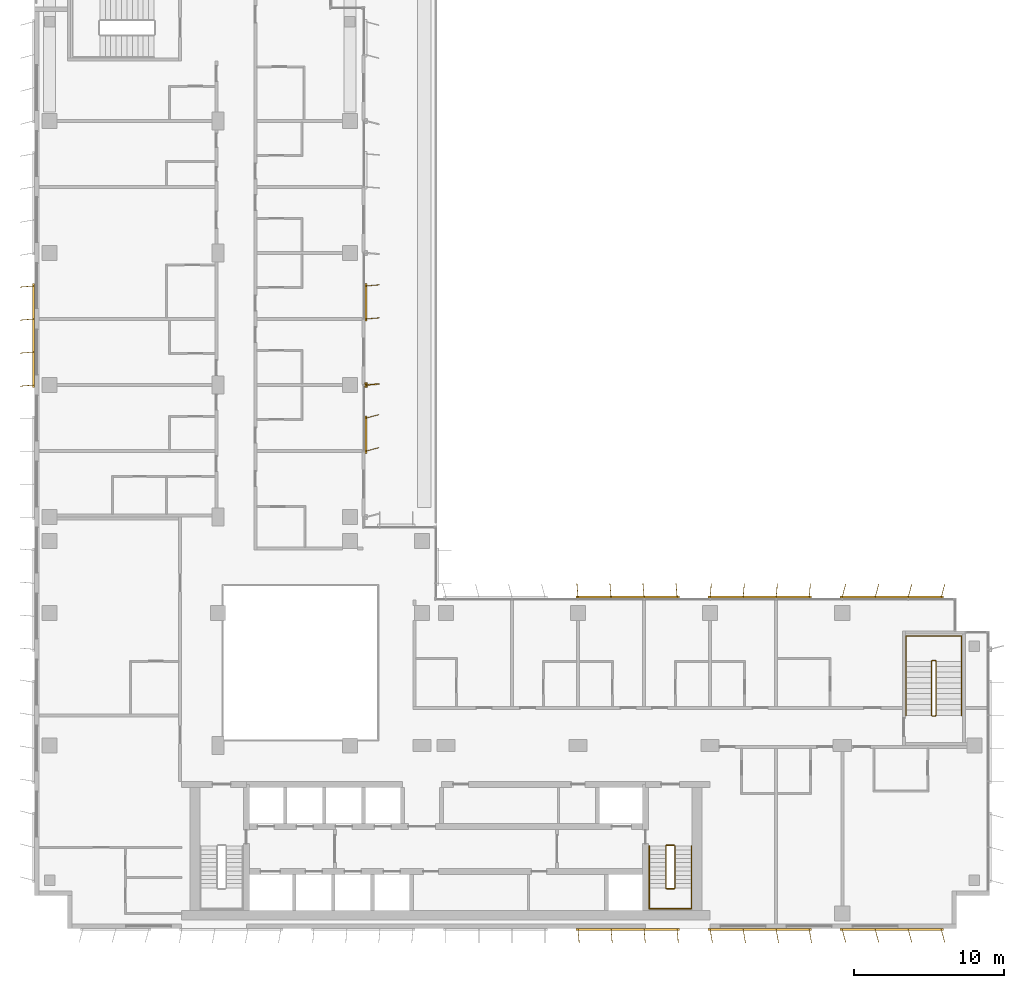
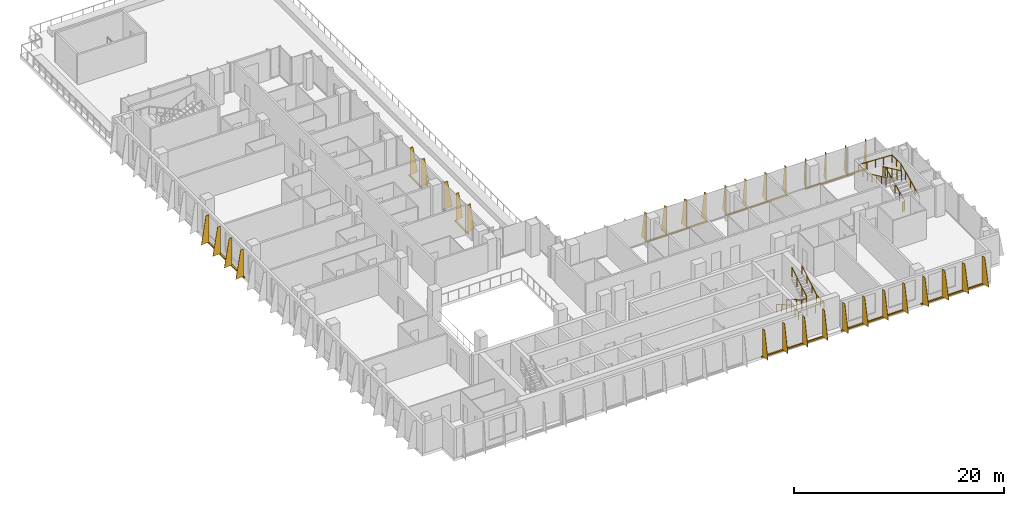
# One storey, part 20 of 22: 10 shading devices, 4 railings.
"""IFC4 building model written with IfcOpenShell, lengths in metres."""

from ifc_helpers import new_model, si_unit, direction, frame, origin, origin_2d, place, context, subcontext, project, spatial, polyline, rectangle, circle, outline, extrude, source, transform, mapped, material, layer, layer_set, type_object, element, save


model = new_model("IFC4")

# Units and contexts
model_context = context("Model", 3, precision=1e-05, world=origin(), true_north=direction((0.0, 1.0)))
body_context = subcontext(model_context, "Body", "Model", "MODEL_VIEW")
ifc_project = project(units=[si_unit("LENGTHUNIT", "METRE"), si_unit("AREAUNIT", "SQUARE_METRE"), si_unit("VOLUMEUNIT", "CUBIC_METRE"), si_unit("PLANEANGLEUNIT", "RADIAN"), si_unit("MASSUNIT", "GRAM", prefix="KILO")], contexts=[model_context])

# Site, building, storey
site_placement = place(None, origin())
site = spatial("IfcSite", under=ifc_project, at=site_placement, CompositionType="ELEMENT")
building_placement = place(site_placement, origin())
building = spatial("IfcBuilding", under=site, at=building_placement, Name="Kemantara Hotel Tower", CompositionType="ELEMENT")
storey_placement = place(building_placement, frame((0.0, 0.0, 153.10009765625)))
storey = spatial("IfcBuildingStorey", under=building, at=storey_placement, Name="L37", CompositionType="ELEMENT", Elevation=153.10009765625)

# Railings
ifc_material_1 = material(Name="Stainless steel balustrade", Category="steel")
railing_type_1 = type_object("IfcRailingType", Name="Stair guard 1100 mm", PredefinedType="GUARDRAIL", material=ifc_material_1)
railing_1_placement = place(storey_placement, frame((42.64990234375, 5.5, 3.699951171875)))
element("IfcRailing", 1, at=railing_1_placement, inside=storey, type_object=railing_type_1, Name="L37 ST2 stair guard 1", PredefinedType="GUARDRAIL", context=body_context, shape_type="SweptSolid", body=[
    extrude(circle(Radius=0.02392578125, at=origin_2d()), frame((0.0, 0.0, 1.076171875), z_axis=(0.0, -0.857242210791, -0.514913383045), x_axis=(1.0, 0.0, 0.0)), (0.0, 0.0, 1.0), 3.266357421875),
    extrude(circle(Radius=0.02392578125, at=origin_2d()), frame((0.0, -2.800048828125, -0.60595703125), z_axis=(-0.273006030465, -0.27434429532, -0.922064485248), x_axis=(0.708833529934, -0.705375805398, 0.0)), (0.0, 0.0, 1.0), 0.182373046875),
    extrude(circle(Radius=0.02392578125, at=origin_2d()), frame((-0.0498046875, -2.85009765625, -0.77392578125), z_axis=(-1.0, 0.0, 0.0), x_axis=(0.0, -1.0, 0.0)), (0.0, 0.0, 1.0), 0.5),
    extrude(circle(Radius=0.02392578125, at=origin_2d()), frame((-0.5498046875, -2.85009765625, -0.77392578125), z_axis=(-0.707106781187, 0.707106781187, 0.0), x_axis=(-0.707106781187, -0.707106781187, 0.0)), (0.0, 0.0, 1.0), 0.07080078125),
    extrude(circle(Radius=0.02392578125, at=origin_2d()), frame((-0.599853515625, -2.800048828125, -0.77392578125), z_axis=(0.0, 0.857242210791, -0.514913383045), x_axis=(-1.0, 0.0, 0.0)), (0.0, 0.0, 1.0), 3.266357421875),
    extrude(circle(Radius=0.02392578125, at=origin_2d()), frame((-0.599853515625, 0.0, -2.4560546875), z_axis=(0.274582412415, 0.274582412415, -0.921525364591), x_axis=(-0.707106781187, 0.707106781187, 0.0)), (0.0, 0.0, 1.0), 0.182373046875),
    extrude(circle(Radius=0.02392578125, at=origin_2d()), frame((-0.5498046875, 0.050048828125, -2.6240234375), z_axis=(1.0, 0.0, 0.0), x_axis=(0.0, 1.0, 0.0)), (0.0, 0.0, 1.0), 0.5),
    extrude(circle(Radius=0.02099609375, at=origin_2d()), origin(), (0.0, 0.0, 1.0), 1.052001953125),
    extrude(circle(Radius=0.02099609375, at=origin_2d()), frame((0.0, -0.933349609375, -0.560546875)), (0.0, 0.0, 1.0), 1.052001953125),
    extrude(circle(Radius=0.02099609375, at=origin_2d()), frame((0.0, -1.86669921875, -1.121337890625)), (0.0, 0.0, 1.0), 1.052001953125),
    extrude(circle(Radius=0.02099609375, at=origin_2d()), frame((0.0, -2.800048828125, -1.681884765625)), (0.0, 0.0, 1.0), 1.052001953125),
    extrude(circle(Radius=0.02099609375, at=origin_2d()), frame((-0.0498046875, -2.85009765625, -1.85009765625)), (0.0, 0.0, 1.0), 1.052001953125),
    extrude(circle(Radius=0.02099609375, at=origin_2d()), frame((-0.5498046875, -2.85009765625, -1.85009765625)), (0.0, 0.0, 1.0), 1.052001953125),
    extrude(circle(Radius=0.02099609375, at=origin_2d()), frame((-0.599853515625, -2.800048828125, -1.85009765625)), (0.0, 0.0, 1.0), 1.052001953125),
    extrude(circle(Radius=0.02099609375, at=origin_2d()), frame((-0.599853515625, -1.86669921875, -2.41064453125)), (0.0, 0.0, 1.0), 1.052001953125),
    extrude(circle(Radius=0.02099609375, at=origin_2d()), frame((-0.599853515625, -0.933349609375, -2.971435546875)), (0.0, 0.0, 1.0), 1.052001953125),
    extrude(circle(Radius=0.02099609375, at=origin_2d()), frame((-0.599853515625, 0.0, -3.531982421875)), (0.0, 0.0, 1.0), 1.052001953125),
    extrude(circle(Radius=0.02099609375, at=origin_2d()), frame((-0.5498046875, 0.050048828125, -3.699951171875)), (0.0, 0.0, 1.0), 1.052001953125),
    extrude(circle(Radius=0.02099609375, at=origin_2d()), frame((-0.0498046875, 0.050048828125, -3.699951171875)), (0.0, 0.0, 1.0), 1.052001953125),
])
railing_2_placement = place(storey_placement, frame((59.75, 14.199951171875, 3.699951171875)))
element("IfcRailing", 2, at=railing_2_placement, inside=storey, type_object=railing_type_1, Name="L37 ST3 stair guard 1", PredefinedType="GUARDRAIL", context=body_context, shape_type="SweptSolid", body=[
    extrude(circle(Radius=0.02392578125, at=origin_2d()), frame((0.0, 0.0, 1.076171875), z_axis=(0.0, 0.906005689286, -0.423265508849), x_axis=(-1.0, 0.0, 0.0)), (0.0, 0.0, 1.0), 3.9736328125),
    extrude(circle(Radius=0.02392578125, at=origin_2d()), frame((0.0, 3.60009765625, -0.60595703125), z_axis=(0.274243871929, 0.274243871929, -0.92172696468), x_axis=(-0.707106781187, 0.707106781187, 0.0)), (0.0, 0.0, 1.0), 0.1826171875),
    extrude(circle(Radius=0.02392578125, at=origin_2d()), frame((0.050048828125, 3.650146484375, -0.77392578125), z_axis=(1.0, 0.0, 0.0), x_axis=(0.0, 1.0, 0.0)), (0.0, 0.0, 1.0), 0.199951171875),
    extrude(circle(Radius=0.02392578125, at=origin_2d()), frame((0.25, 3.650146484375, -0.77392578125), z_axis=(0.707106781187, -0.707106781187, 0.0), x_axis=(0.707106781187, 0.707106781187, 0.0)), (0.0, 0.0, 1.0), 0.07080078125),
    extrude(circle(Radius=0.02392578125, at=origin_2d()), frame((0.300048828125, 3.60009765625, -0.77392578125), z_axis=(0.0, -0.906005689286, -0.423265508849), x_axis=(1.0, 0.0, 0.0)), (0.0, 0.0, 1.0), 3.9736328125),
    extrude(circle(Radius=0.02392578125, at=origin_2d()), frame((0.300048828125, 0.0, -2.4560546875), z_axis=(-0.274582412415, -0.274582412415, -0.921525364591), x_axis=(0.707106781187, -0.707106781187, 0.0)), (0.0, 0.0, 1.0), 0.182373046875),
    extrude(circle(Radius=0.02392578125, at=origin_2d()), frame((0.25, -0.050048828125, -2.6240234375), z_axis=(-1.0, 0.0, 0.0), x_axis=(0.0, -1.0, 0.0)), (0.0, 0.0, 1.0), 0.199951171875),
    extrude(circle(Radius=0.02099609375, at=origin_2d()), origin(), (0.0, 0.0, 1.0), 1.052001953125),
    extrude(circle(Radius=0.02099609375, at=origin_2d()), frame((0.0, 0.89990234375, -0.42041015625)), (0.0, 0.0, 1.0), 1.052001953125),
    extrude(circle(Radius=0.02099609375, at=origin_2d()), frame((0.0, 1.800048828125, -0.8408203125)), (0.0, 0.0, 1.0), 1.052001953125),
    extrude(circle(Radius=0.02099609375, at=origin_2d()), frame((0.0, 2.7001953125, -1.261474609375)), (0.0, 0.0, 1.0), 1.052001953125),
    extrude(circle(Radius=0.02099609375, at=origin_2d()), frame((0.0, 3.60009765625, -1.681884765625)), (0.0, 0.0, 1.0), 1.052001953125),
    extrude(circle(Radius=0.02099609375, at=origin_2d()), frame((0.050048828125, 3.650146484375, -1.85009765625)), (0.0, 0.0, 1.0), 1.052001953125),
    extrude(circle(Radius=0.02099609375, at=origin_2d()), frame((0.25, 3.650146484375, -1.85009765625)), (0.0, 0.0, 1.0), 1.052001953125),
    extrude(circle(Radius=0.02099609375, at=origin_2d()), frame((0.300048828125, 3.60009765625, -1.85009765625)), (0.0, 0.0, 1.0), 1.052001953125),
    extrude(circle(Radius=0.02099609375, at=origin_2d()), frame((0.300048828125, 2.7001953125, -2.2705078125)), (0.0, 0.0, 1.0), 1.052001953125),
    extrude(circle(Radius=0.02099609375, at=origin_2d()), frame((0.300048828125, 1.800048828125, -2.69091796875)), (0.0, 0.0, 1.0), 1.052001953125),
    extrude(circle(Radius=0.02099609375, at=origin_2d()), frame((0.300048828125, 0.89990234375, -3.111572265625)), (0.0, 0.0, 1.0), 1.052001953125),
    extrude(circle(Radius=0.02099609375, at=origin_2d()), frame((0.300048828125, 0.0, -3.531982421875)), (0.0, 0.0, 1.0), 1.052001953125),
    extrude(circle(Radius=0.02099609375, at=origin_2d()), frame((0.25, -0.050048828125, -3.699951171875)), (0.0, 0.0, 1.0), 1.052001953125),
    extrude(circle(Radius=0.02099609375, at=origin_2d()), frame((0.050048828125, -0.050048828125, -3.699951171875)), (0.0, 0.0, 1.0), 1.052001953125),
])
railing_type_2 = type_object("IfcRailingType", Name="Stair handrail 900 mm", PredefinedType="HANDRAIL", material=ifc_material_1)
railing_3_placement = place(storey_placement, frame((40.949951171875, 5.5, 0.16796875)))
element("IfcRailing", 3, at=railing_3_placement, inside=storey, type_object=railing_type_2, Name="L37 ST2 stair handrail 1", PredefinedType="HANDRAIL", context=body_context, shape_type="SweptSolid", body=[
    extrude(circle(Radius=0.02392578125, at=origin_2d()), frame((0.0, 0.0, 0.8759765625), z_axis=(0.0, -0.857242210791, 0.514913383045), x_axis=(1.0, 0.0, 0.0)), (0.0, 0.0, 1.0), 3.266357421875),
    extrude(circle(Radius=0.02392578125, at=origin_2d()), frame((0.0, -2.800048828125, 2.5576171875), z_axis=(0.0, -1.0, 0.0), x_axis=(1.0, 0.0, 0.0)), (0.0, 0.0, 1.0), 1.3798828125),
    extrude(circle(Radius=0.02392578125, at=origin_2d()), frame((0.0, -4.179931640625, 2.5576171875), z_axis=(0.998200367801, 0.0, 0.059966871865), x_axis=(0.0, 1.0, 0.0)), (0.0, 0.0, 1.0), 2.80517578125),
    extrude(circle(Radius=0.02392578125, at=origin_2d()), frame((2.800048828125, -4.179931640625, 2.72607421875), z_axis=(0.0, 1.0, 0.0), x_axis=(-1.0, 0.0, 0.0)), (0.0, 0.0, 1.0), 1.3798828125),
    extrude(circle(Radius=0.02392578125, at=origin_2d()), frame((2.800048828125, -2.800048828125, 2.72607421875), z_axis=(0.0, 0.857242210791, 0.514913383045), x_axis=(-1.0, 0.0, 0.0)), (0.0, 0.0, 1.0), 3.266357421875),
    extrude(circle(Radius=0.02099609375, at=origin_2d()), origin(), (0.0, 0.0, 1.0), 0.851806640625),
    extrude(circle(Radius=0.02099609375, at=origin_2d()), frame((0.0, -0.933349609375, 0.560546875)), (0.0, 0.0, 1.0), 0.851806640625),
    extrude(circle(Radius=0.02099609375, at=origin_2d()), frame((0.0, -1.86669921875, 1.121337890625)), (0.0, 0.0, 1.0), 0.851806640625),
    extrude(circle(Radius=0.02099609375, at=origin_2d()), frame((0.0, -2.800048828125, 1.681884765625)), (0.0, 0.0, 1.0), 0.851806640625),
    extrude(circle(Radius=0.02099609375, at=origin_2d()), frame((0.0, -3.489990234375, 1.681884765625)), (0.0, 0.0, 1.0), 0.851806640625),
    extrude(circle(Radius=0.02099609375, at=origin_2d()), frame((0.0, -4.179931640625, 1.681884765625)), (0.0, 0.0, 1.0), 0.851806640625),
    extrude(circle(Radius=0.02099609375, at=origin_2d()), frame((0.933349609375, -4.179931640625, 1.738037109375)), (0.0, 0.0, 1.0), 0.851806640625),
    extrude(circle(Radius=0.02099609375, at=origin_2d()), frame((1.86669921875, -4.179931640625, 1.7939453125)), (0.0, 0.0, 1.0), 0.851806640625),
    extrude(circle(Radius=0.02099609375, at=origin_2d()), frame((2.800048828125, -4.179931640625, 1.85009765625)), (0.0, 0.0, 1.0), 0.851806640625),
    extrude(circle(Radius=0.02099609375, at=origin_2d()), frame((2.800048828125, -3.489990234375, 1.85009765625)), (0.0, 0.0, 1.0), 0.851806640625),
    extrude(circle(Radius=0.02099609375, at=origin_2d()), frame((2.800048828125, -2.800048828125, 1.85009765625)), (0.0, 0.0, 1.0), 0.851806640625),
    extrude(circle(Radius=0.02099609375, at=origin_2d()), frame((2.800048828125, -1.86669921875, 2.41064453125)), (0.0, 0.0, 1.0), 0.851806640625),
    extrude(circle(Radius=0.02099609375, at=origin_2d()), frame((2.800048828125, -0.933349609375, 2.971435546875)), (0.0, 0.0, 1.0), 0.851806640625),
    extrude(circle(Radius=0.02099609375, at=origin_2d()), frame((2.800048828125, 0.0, 3.531982421875)), (0.0, 0.0, 1.0), 0.851806640625),
])
railing_4_placement = place(storey_placement, frame((61.75, 14.199951171875, 0.16796875)))
element("IfcRailing", 4, at=railing_4_placement, inside=storey, type_object=railing_type_2, Name="L37 ST3 stair handrail 1", PredefinedType="HANDRAIL", context=body_context, shape_type="SweptSolid", body=[
    extrude(circle(Radius=0.02392578125, at=origin_2d()), frame((0.0, 0.0, 0.8759765625), z_axis=(0.0, 0.906005689286, 0.423265508849), x_axis=(-1.0, 0.0, 0.0)), (0.0, 0.0, 1.0), 3.9736328125),
    extrude(circle(Radius=0.02392578125, at=origin_2d()), frame((0.0, 3.60009765625, 2.5576171875), z_axis=(0.0, 1.0, 0.0), x_axis=(-1.0, 0.0, 0.0)), (0.0, 0.0, 1.0), 1.679931640625),
    extrude(circle(Radius=0.02392578125, at=origin_2d()), frame((0.0, 5.280029296875, 2.5576171875), z_axis=(-0.998968132438, 0.0, 0.045416631029), x_axis=(0.0, -1.0, 0.0)), (0.0, 0.0, 1.0), 3.703857421875),
    extrude(circle(Radius=0.02392578125, at=origin_2d()), frame((-3.699951171875, 5.280029296875, 2.72607421875), z_axis=(0.0, -1.0, 0.0), x_axis=(1.0, 0.0, 0.0)), (0.0, 0.0, 1.0), 1.679931640625),
    extrude(circle(Radius=0.02392578125, at=origin_2d()), frame((-3.699951171875, 3.60009765625, 2.72607421875), z_axis=(0.0, -0.906005689286, 0.423265508849), x_axis=(1.0, 0.0, 0.0)), (0.0, 0.0, 1.0), 3.9736328125),
    extrude(circle(Radius=0.02099609375, at=origin_2d()), origin(), (0.0, 0.0, 1.0), 0.851806640625),
    extrude(circle(Radius=0.02099609375, at=origin_2d()), frame((0.0, 0.89990234375, 0.42041015625)), (0.0, 0.0, 1.0), 0.851806640625),
    extrude(circle(Radius=0.02099609375, at=origin_2d()), frame((0.0, 1.800048828125, 0.8408203125)), (0.0, 0.0, 1.0), 0.851806640625),
    extrude(circle(Radius=0.02099609375, at=origin_2d()), frame((0.0, 2.7001953125, 1.261474609375)), (0.0, 0.0, 1.0), 0.851806640625),
    extrude(circle(Radius=0.02099609375, at=origin_2d()), frame((0.0, 3.60009765625, 1.681884765625)), (0.0, 0.0, 1.0), 0.851806640625),
    extrude(circle(Radius=0.02099609375, at=origin_2d()), frame((0.0, 4.43994140625, 1.681884765625)), (0.0, 0.0, 1.0), 0.851806640625),
    extrude(circle(Radius=0.02099609375, at=origin_2d()), frame((0.0, 5.280029296875, 1.681884765625)), (0.0, 0.0, 1.0), 0.851806640625),
    extrude(circle(Radius=0.02099609375, at=origin_2d()), frame((-0.925048828125, 5.280029296875, 1.723876953125)), (0.0, 0.0, 1.0), 0.851806640625),
    extrude(circle(Radius=0.02099609375, at=origin_2d()), frame((-1.85009765625, 5.280029296875, 1.76611328125)), (0.0, 0.0, 1.0), 0.851806640625),
    extrude(circle(Radius=0.02099609375, at=origin_2d()), frame((-2.77490234375, 5.280029296875, 1.80810546875)), (0.0, 0.0, 1.0), 0.851806640625),
    extrude(circle(Radius=0.02099609375, at=origin_2d()), frame((-3.699951171875, 5.280029296875, 1.85009765625)), (0.0, 0.0, 1.0), 0.851806640625),
    extrude(circle(Radius=0.02099609375, at=origin_2d()), frame((-3.699951171875, 4.43994140625, 1.85009765625)), (0.0, 0.0, 1.0), 0.851806640625),
    extrude(circle(Radius=0.02099609375, at=origin_2d()), frame((-3.699951171875, 3.60009765625, 1.85009765625)), (0.0, 0.0, 1.0), 0.851806640625),
    extrude(circle(Radius=0.02099609375, at=origin_2d()), frame((-3.699951171875, 2.7001953125, 2.2705078125)), (0.0, 0.0, 1.0), 0.851806640625),
    extrude(circle(Radius=0.02099609375, at=origin_2d()), frame((-3.699951171875, 1.800048828125, 2.69091796875)), (0.0, 0.0, 1.0), 0.851806640625),
    extrude(circle(Radius=0.02099609375, at=origin_2d()), frame((-3.699951171875, 0.89990234375, 3.111572265625)), (0.0, 0.0, 1.0), 0.851806640625),
    extrude(circle(Radius=0.02099609375, at=origin_2d()), frame((-3.699951171875, 0.0, 3.531982421875)), (0.0, 0.0, 1.0), 0.851806640625),
])

# Shading devices
ifc_material_2 = material(Name="Perforated aluminium plate 4 mm bronze anodised", Category="aluminium")
ifc_layer_1 = layer(ifc_material_2, 0.0400390625)
ifc_layer_set_1 = layer_set([ifc_layer_1], Name="Perforated aluminium plate 4 mm bronze anodised")
shading_device_type_1 = type_object("IfcShadingDeviceType", Name="SCREEN FIN CASSETTE, 4 BLADES AT -5.0 DEG, 3200 HIGH", PredefinedType="USERDEFINED", material=ifc_layer_set_1)
shared_shape_1 = source(origin(), body_context, "Body", "SweptSolid", [
    extrude(rectangle(XDim=6.89990234375, YDim=0.14990234375, at=origin_2d()), frame((3.300048828125, -0.074951171875, -0.14990234375), z_axis=(0.0, 0.0, 1.0), x_axis=(1.0, 0.0, 0.0)), (0.0, 0.0, 1.0), 0.14990234375),
    extrude(outline(polyline([(0.0, 0.0), (0.89990234375, 0.0), (0.35009765625, 3.199951171875), (0.0, 3.199951171875), (0.0, 0.0)])), frame((0.02001953125, -0.07666015625, 0.0), z_axis=(-0.996376129781, 0.085056498884, 0.0), x_axis=(-0.085056498884, -0.996376129781, 0.0)), (0.0, 0.0, 1.0), 0.040283203125),
    extrude(outline(polyline([(0.0, 0.0), (0.89990234375, 0.0), (0.35009765625, 3.199951171875), (0.0, 3.199951171875), (0.0, 0.0)])), frame((2.219970703125, -0.07666015625, 0.0), z_axis=(-0.996331773833, 0.085574508182, 0.0), x_axis=(-0.085574508182, -0.996331773833, 0.0)), (0.0, 0.0, 1.0), 0.0400390625),
    extrude(outline(polyline([(0.0, 0.0), (0.89990234375, 0.0), (0.35009765625, 3.199951171875), (0.0, 3.199951171875), (0.0, 0.0)])), frame((4.419921875, -0.07666015625, 0.0), z_axis=(-0.996331773833, 0.085574508182, 0.0), x_axis=(-0.085574508182, -0.996331773833, 0.0)), (0.0, 0.0, 1.0), 0.0400390625),
    extrude(outline(polyline([(0.0, 0.0), (0.89990234375, 0.0), (0.35009765625, 3.199951171875), (0.0, 3.199951171875), (0.0, 0.0)])), frame((6.619873046875, -0.07666015625, 0.0), z_axis=(-0.996331773833, 0.085574508182, 0.0), x_axis=(-0.085574508182, -0.996331773833, 0.0)), (0.0, 0.0, 1.0), 0.0400390625),
])
shading_device_1_placement = place(storey_placement, frame((51.60009765625, 22.0, 0.099853515625), z_axis=(0.0, 0.0, 1.0), x_axis=(-1.0, 0.0, 0.0)))
element("IfcShadingDevice", 5, at=shading_device_1_placement, inside=storey, type_object=shading_device_type_1, Name="SCREEN FIN CASSETTE L37 T3-R14-2", ObjectType="SCREEN FIN", PredefinedType="USERDEFINED", context=body_context, shape_type="MappedRepresentation", body=[
    mapped(shared_shape_1, transform((0.0, 0.0, 0.0))),
])
ifc_layer_2 = layer(ifc_material_2, 0.0400390625)
ifc_layer_set_2 = layer_set([ifc_layer_2], Name="Perforated aluminium plate 4 mm bronze anodised")
shading_device_type_2 = type_object("IfcShadingDeviceType", Name="SCREEN FIN CASSETTE, 4 BLADES AT +5.0 DEG, 3200 HIGH", PredefinedType="USERDEFINED", material=ifc_layer_set_2)
shared_shape_2 = source(origin(), body_context, "Body", "SweptSolid", [
    extrude(rectangle(XDim=6.89990234375, YDim=0.14990234375, at=origin_2d()), frame((3.300048828125, -0.074951171875, -0.14990234375), z_axis=(0.0, 0.0, 1.0), x_axis=(1.0, 0.0, 0.0)), (0.0, 0.0, 1.0), 0.14990234375),
    extrude(outline(polyline([(0.0, 0.0), (0.89990234375, 0.0), (0.35009765625, 3.199951171875), (0.0, 3.199951171875), (0.0, 0.0)])), frame((0.02001953125, -0.0732421875, 0.0), z_axis=(-0.996376129781, -0.085056498884, 0.0), x_axis=(0.085056498884, -0.996376129781, 0.0)), (0.0, 0.0, 1.0), 0.040283203125),
    extrude(outline(polyline([(0.0, 0.0), (0.89990234375, 0.0), (0.35009765625, 3.199951171875), (0.0, 3.199951171875), (0.0, 0.0)])), frame((2.219970703125, -0.0732421875, 0.0), z_axis=(-0.996331773833, -0.085574508182, 0.0), x_axis=(0.085574508182, -0.996331773833, 0.0)), (0.0, 0.0, 1.0), 0.0400390625),
    extrude(outline(polyline([(0.0, 0.0), (0.89990234375, 0.0), (0.35009765625, 3.199951171875), (0.0, 3.199951171875), (0.0, 0.0)])), frame((4.419921875, -0.0732421875, 0.0), z_axis=(-0.996331773833, -0.085574508182, 0.0), x_axis=(0.085574508182, -0.996331773833, 0.0)), (0.0, 0.0, 1.0), 0.0400390625),
    extrude(outline(polyline([(0.0, 0.0), (0.89990234375, 0.0), (0.35009765625, 3.199951171875), (0.0, 3.199951171875), (0.0, 0.0)])), frame((6.619873046875, -0.0732421875, 0.0), z_axis=(-0.996331773833, -0.085574508182, 0.0), x_axis=(0.085574508182, -0.996331773833, 0.0)), (0.0, 0.0, 1.0), 0.0400390625),
])
for number, where, z_axis, x_axis, name in (
    (6, (0.0, 42.800048828125, 0.099853515625), (0.0, 0.0, 1.0), (0.0, -1.0, 0.0), "SCREEN FIN CASSETTE L37 T3-R05-3"),
    (7, (36.199951171875, 0.0, 0.099853515625), (0.0, 0.0, 1.0), (1.0, 0.0, 0.0), "SCREEN FIN CASSETTE L37 T3-R08-5"),
    (8, (42.800048828125, 22.0, 0.099853515625), (0.0, 0.0, 1.0), (-1.0, 0.0, 0.0), "SCREEN FIN CASSETTE L37 T3-R14-3"),
):
    element("IfcShadingDevice", number, at=place(storey_placement, frame(where, z_axis=z_axis, x_axis=x_axis)), inside=storey, type_object=shading_device_type_2, Name=name, ObjectType="SCREEN FIN", PredefinedType="USERDEFINED", context=body_context, shape_type="MappedRepresentation", body=[
        mapped(shared_shape_2, transform((0.0, 0.0, 0.0))),
    ])
ifc_layer_3 = layer(ifc_material_2, 0.0400390625)
ifc_layer_set_3 = layer_set([ifc_layer_3], Name="Perforated aluminium plate 4 mm bronze anodised")
shading_device_type_3 = type_object("IfcShadingDeviceType", Name="SCREEN FIN CASSETTE, 4 BLADES AT +10.0 DEG, 3200 HIGH", PredefinedType="USERDEFINED", material=ifc_layer_set_3)
shared_shape_3 = source(origin(), body_context, "Body", "SweptSolid", [
    extrude(rectangle(XDim=6.89990234375, YDim=0.14990234375, at=origin_2d()), frame((3.300048828125, -0.074951171875, -0.14990234375), z_axis=(0.0, 0.0, 1.0), x_axis=(1.0, 0.0, 0.0)), (0.0, 0.0, 1.0), 0.14990234375),
    extrude(outline(polyline([(0.0, 0.0), (0.89990234375, 0.0), (0.35009765625, 3.199951171875), (0.0, 3.199951171875), (0.0, 0.0)])), frame((0.019775390625, -0.071533203125, 0.0), z_axis=(-0.985389793052, -0.170314285219, 0.0), x_axis=(0.170314285219, -0.985389793052, 0.0)), (0.0, 0.0, 1.0), 0.0400390625),
    extrude(outline(polyline([(0.0, 0.0), (0.89990234375, 0.0), (0.35009765625, 3.199951171875), (0.0, 3.199951171875), (0.0, 0.0)])), frame((2.2197265625, -0.071533203125, 0.0), z_axis=(-0.98521175482, -0.171341174751, 0.0), x_axis=(0.171341174751, -0.98521175482, 0.0)), (0.0, 0.0, 1.0), 0.039794921875),
    extrude(outline(polyline([(0.0, 0.0), (0.89990234375, 0.0), (0.35009765625, 3.199951171875), (0.0, 3.199951171875), (0.0, 0.0)])), frame((4.419677734375, -0.071533203125, 0.0), z_axis=(-0.98521175482, -0.171341174751, 0.0), x_axis=(0.171341174751, -0.98521175482, 0.0)), (0.0, 0.0, 1.0), 0.039794921875),
    extrude(outline(polyline([(0.0, 0.0), (0.89990234375, 0.0), (0.35009765625, 3.199951171875), (0.0, 3.199951171875), (0.0, 0.0)])), frame((6.61962890625, -0.071533203125, 0.0), z_axis=(-0.98521175482, -0.171341174751, 0.0), x_axis=(0.171341174751, -0.98521175482, 0.0)), (0.0, 0.0, 1.0), 0.039794921875),
])
shading_device_2_placement = place(storey_placement, frame((45.0, 0.0, 0.099853515625), z_axis=(0.0, 0.0, 1.0), x_axis=(1.0, 0.0, 0.0)))
element("IfcShadingDevice", 9, at=shading_device_2_placement, inside=storey, type_object=shading_device_type_3, Name="SCREEN FIN CASSETTE L37 T3-R08-6", ObjectType="SCREEN FIN", PredefinedType="USERDEFINED", context=body_context, shape_type="MappedRepresentation", body=[
    mapped(shared_shape_3, transform((0.0, 0.0, 0.0))),
])
ifc_layer_4 = layer(ifc_material_2, 0.0400390625)
ifc_layer_set_4 = layer_set([ifc_layer_4], Name="Perforated aluminium plate 4 mm bronze anodised")
shading_device_type_4 = type_object("IfcShadingDeviceType", Name="SCREEN FIN CASSETTE, 4 BLADES AT +15.0 DEG, 3200 HIGH", PredefinedType="USERDEFINED", material=ifc_layer_set_4)
shared_shape_4 = source(origin(), body_context, "Body", "SweptSolid", [
    extrude(rectangle(XDim=6.89990234375, YDim=0.14990234375, at=origin_2d()), frame((3.300048828125, -0.074951171875, -0.14990234375), z_axis=(0.0, 0.0, 1.0), x_axis=(1.0, 0.0, 0.0)), (0.0, 0.0, 1.0), 0.14990234375),
    extrude(outline(polyline([(0.0, 0.0), (0.89990234375, 0.0), (0.35009765625, 3.199951171875), (0.0, 3.199951171875), (0.0, 0.0)])), frame((0.019287109375, -0.06982421875, 0.0), z_axis=(-0.966437683387, -0.256901156343, 0.0), x_axis=(0.256901156343, -0.966437683387, 0.0)), (0.0, 0.0, 1.0), 0.039794921875),
    extrude(outline(polyline([(0.0, 0.0), (0.89990234375, 0.0), (0.35009765625, 3.199951171875), (0.0, 3.199951171875), (0.0, 0.0)])), frame((2.21923828125, -0.06982421875, 0.0), z_axis=(-0.966437683387, -0.256901156343, 0.0), x_axis=(0.256901156343, -0.966437683387, 0.0)), (0.0, 0.0, 1.0), 0.039794921875),
    extrude(outline(polyline([(0.0, 0.0), (0.89990234375, 0.0), (0.35009765625, 3.199951171875), (0.0, 3.199951171875), (0.0, 0.0)])), frame((4.41943359375, -0.06982421875, 0.0), z_axis=(-0.966837822169, -0.255391122837, 0.0), x_axis=(0.255391122837, -0.966837822169, 0.0)), (0.0, 0.0, 1.0), 0.0400390625),
    extrude(outline(polyline([(0.0, 0.0), (0.89990234375, 0.0), (0.35009765625, 3.199951171875), (0.0, 3.199951171875), (0.0, 0.0)])), frame((6.619384765625, -0.06982421875, 0.0), z_axis=(-0.966837822169, -0.255391122837, 0.0), x_axis=(0.255391122837, -0.966837822169, 0.0)), (0.0, 0.0, 1.0), 0.0400390625),
])
shading_device_3_placement = place(storey_placement, frame((53.800048828125, 0.0, 0.099853515625), z_axis=(0.0, 0.0, 1.0), x_axis=(1.0, 0.0, 0.0)))
element("IfcShadingDevice", 10, at=shading_device_3_placement, inside=storey, type_object=shading_device_type_4, Name="SCREEN FIN CASSETTE L37 T3-R08-7", ObjectType="SCREEN FIN", PredefinedType="USERDEFINED", context=body_context, shape_type="MappedRepresentation", body=[
    mapped(shared_shape_4, transform((0.0, 0.0, 0.0))),
])
ifc_layer_5 = layer(ifc_material_2, 0.0400390625)
ifc_layer_set_5 = layer_set([ifc_layer_5], Name="Perforated aluminium plate 4 mm bronze anodised")
shading_device_type_5 = type_object("IfcShadingDeviceType", Name="SCREEN FIN CASSETTE, 4 BLADES AT -15.0 DEG, 3200 HIGH", PredefinedType="USERDEFINED", material=ifc_layer_set_5)
shared_shape_5 = source(origin(), body_context, "Body", "SweptSolid", [
    extrude(rectangle(XDim=6.89990234375, YDim=0.14990234375, at=origin_2d()), frame((3.300048828125, -0.074951171875, -0.14990234375), z_axis=(0.0, 0.0, 1.0), x_axis=(1.0, 0.0, 0.0)), (0.0, 0.0, 1.0), 0.14990234375),
    extrude(outline(polyline([(0.0, 0.0), (0.89990234375, 0.0), (0.35009765625, 3.199951171875), (0.0, 3.199951171875), (0.0, 0.0)])), frame((0.019287109375, -0.080078125, 0.0), z_axis=(-0.966437683387, 0.256901156343, 0.0), x_axis=(-0.256901156343, -0.966437683387, 0.0)), (0.0, 0.0, 1.0), 0.039794921875),
    extrude(outline(polyline([(0.0, 0.0), (0.89990234375, 0.0), (0.35009765625, 3.199951171875), (0.0, 3.199951171875), (0.0, 0.0)])), frame((2.21923828125, -0.080078125, 0.0), z_axis=(-0.966437683387, 0.256901156343, 0.0), x_axis=(-0.256901156343, -0.966437683387, 0.0)), (0.0, 0.0, 1.0), 0.039794921875),
    extrude(outline(polyline([(0.0, 0.0), (0.89990234375, 0.0), (0.35009765625, 3.199951171875), (0.0, 3.199951171875), (0.0, 0.0)])), frame((4.41943359375, -0.080078125, 0.0), z_axis=(-0.966837822169, 0.255391122837, 0.0), x_axis=(-0.255391122837, -0.966837822169, 0.0)), (0.0, 0.0, 1.0), 0.0400390625),
    extrude(outline(polyline([(0.0, 0.0), (0.89990234375, 0.0), (0.35009765625, 3.199951171875), (0.0, 3.199951171875), (0.0, 0.0)])), frame((6.619384765625, -0.080078125, 0.0), z_axis=(-0.966837822169, 0.255391122837, 0.0), x_axis=(-0.255391122837, -0.966837822169, 0.0)), (0.0, 0.0, 1.0), 0.0400390625),
])
shading_device_4_placement = place(storey_placement, frame((60.39990234375, 22.0, 0.099853515625), z_axis=(0.0, 0.0, 1.0), x_axis=(-1.0, 0.0, 0.0)))
element("IfcShadingDevice", 11, at=shading_device_4_placement, inside=storey, type_object=shading_device_type_5, Name="SCREEN FIN CASSETTE L37 T3-R14-1", ObjectType="SCREEN FIN", PredefinedType="USERDEFINED", context=body_context, shape_type="MappedRepresentation", body=[
    mapped(shared_shape_5, transform((0.0, 0.0, 0.0))),
])
ifc_layer_6 = layer(ifc_material_2, 0.0400390625)
ifc_layer_set_6 = layer_set([ifc_layer_6], Name="Perforated aluminium plate 4 mm bronze anodised")
shading_device_type_6 = type_object("IfcShadingDeviceType", Name="SCREEN FIN CASSETTE, 2 BLADES AT +15.0 DEG, 3150 HIGH", PredefinedType="USERDEFINED", material=ifc_layer_set_6)
shared_shape_6 = source(origin(), body_context, "Body", "SweptSolid", [
    extrude(rectangle(XDim=2.5, YDim=0.14990234375, at=origin_2d()), frame((1.10009765625, -0.074951171875, -0.14990234375), z_axis=(0.0, 0.0, 1.0), x_axis=(1.0, 0.0, 0.0)), (0.0, 0.0, 1.0), 0.14990234375),
    extrude(outline(polyline([(0.0, 0.0), (0.89990234375, 0.0), (0.35009765625, 3.14990234375), (0.0, 3.14990234375), (0.0, 0.0)])), frame((0.019287109375, -0.06982421875, 0.0), z_axis=(-0.966437683387, -0.256901156343, 0.0), x_axis=(0.256901156343, -0.966437683387, 0.0)), (0.0, 0.0, 1.0), 0.039794921875),
    extrude(outline(polyline([(0.0, 0.0), (0.89990234375, 0.0), (0.35009765625, 3.14990234375), (0.0, 3.14990234375), (0.0, 0.0)])), frame((2.21923828125, -0.06982421875, 0.0), z_axis=(-0.966437683387, -0.256901156343, 0.0), x_axis=(0.256901156343, -0.966437683387, 0.0)), (0.0, 0.0, 1.0), 0.039794921875),
])
shading_device_5_placement = place(storey_placement, frame((22.0, 31.800048828125, 0.14990234375), z_axis=(0.0, 0.0, 1.0), x_axis=(0.0, 1.0, 0.0)))
element("IfcShadingDevice", 12, at=shading_device_5_placement, inside=storey, type_object=shading_device_type_6, Name="SCREEN FIN CASSETTE L37 T3-R17-2", ObjectType="SCREEN FIN", PredefinedType="USERDEFINED", context=body_context, shape_type="MappedRepresentation", body=[
    mapped(shared_shape_6, transform((0.0, 0.0, 0.0))),
])
ifc_layer_7 = layer(ifc_material_2, 0.0400390625)
ifc_layer_set_7 = layer_set([ifc_layer_7], Name="Perforated aluminium plate 4 mm bronze anodised")
shading_device_type_7 = type_object("IfcShadingDeviceType", Name="SCREEN FIN CASSETTE, 1 BLADE AT +5.0 DEG, 3150 HIGH", PredefinedType="USERDEFINED", material=ifc_layer_set_7)
shared_shape_7 = source(origin(), body_context, "Body", "SweptSolid", [
    extrude(rectangle(XDim=0.300048828125, YDim=0.14990234375, at=origin_2d()), frame((0.0, -0.074951171875, -0.14990234375), z_axis=(0.0, 0.0, 1.0), x_axis=(1.0, 0.0, 0.0)), (0.0, 0.0, 1.0), 0.14990234375),
    extrude(outline(polyline([(0.0, 0.0), (0.89990234375, 0.0), (0.35009765625, 3.14990234375), (0.0, 3.14990234375), (0.0, 0.0)])), frame((0.02001953125, -0.0732421875, 0.0), z_axis=(-0.996376129781, -0.085056498884, 0.0), x_axis=(0.085056498884, -0.996376129781, 0.0)), (0.0, 0.0, 1.0), 0.040283203125),
])
shading_device_6_placement = place(storey_placement, frame((22.0, 36.199951171875, 0.14990234375), z_axis=(0.0, 0.0, 1.0), x_axis=(0.0, 1.0, 0.0)))
element("IfcShadingDevice", 13, at=shading_device_6_placement, inside=storey, type_object=shading_device_type_7, Name="SCREEN FIN CASSETTE L37 T3-R17-3", ObjectType="SCREEN FIN", PredefinedType="USERDEFINED", context=body_context, shape_type="MappedRepresentation", body=[
    mapped(shared_shape_7, transform((0.0, 0.0, 0.0))),
])
ifc_layer_8 = layer(ifc_material_2, 0.0400390625)
ifc_layer_set_8 = layer_set([ifc_layer_8], Name="Perforated aluminium plate 4 mm bronze anodised")
shading_device_type_8 = type_object("IfcShadingDeviceType", Name="SCREEN FIN CASSETTE, 2 BLADES AT +5.0 DEG, 3150 HIGH", PredefinedType="USERDEFINED", material=ifc_layer_set_8)
shared_shape_8 = source(origin(), body_context, "Body", "SweptSolid", [
    extrude(rectangle(XDim=2.5, YDim=0.14990234375, at=origin_2d()), frame((1.10009765625, -0.074951171875, -0.14990234375), z_axis=(0.0, 0.0, 1.0), x_axis=(1.0, 0.0, 0.0)), (0.0, 0.0, 1.0), 0.14990234375),
    extrude(outline(polyline([(0.0, 0.0), (0.89990234375, 0.0), (0.35009765625, 3.14990234375), (0.0, 3.14990234375), (0.0, 0.0)])), frame((0.02001953125, -0.0732421875, 0.0), z_axis=(-0.996376129781, -0.085056498884, 0.0), x_axis=(0.085056498884, -0.996376129781, 0.0)), (0.0, 0.0, 1.0), 0.040283203125),
    extrude(outline(polyline([(0.0, 0.0), (0.89990234375, 0.0), (0.35009765625, 3.14990234375), (0.0, 3.14990234375), (0.0, 0.0)])), frame((2.219970703125, -0.0732421875, 0.0), z_axis=(-0.996331773833, -0.085574508182, 0.0), x_axis=(0.085574508182, -0.996331773833, 0.0)), (0.0, 0.0, 1.0), 0.0400390625),
])
shading_device_7_placement = place(storey_placement, frame((22.0, 40.60009765625, 0.14990234375), z_axis=(0.0, 0.0, 1.0), x_axis=(0.0, 1.0, 0.0)))
element("IfcShadingDevice", 14, at=shading_device_7_placement, inside=storey, type_object=shading_device_type_8, Name="SCREEN FIN CASSETTE L37 T3-R17-4", ObjectType="SCREEN FIN", PredefinedType="USERDEFINED", context=body_context, shape_type="MappedRepresentation", body=[
    mapped(shared_shape_8, transform((0.0, 0.0, 0.0))),
])

save(model, "model.ifc")
